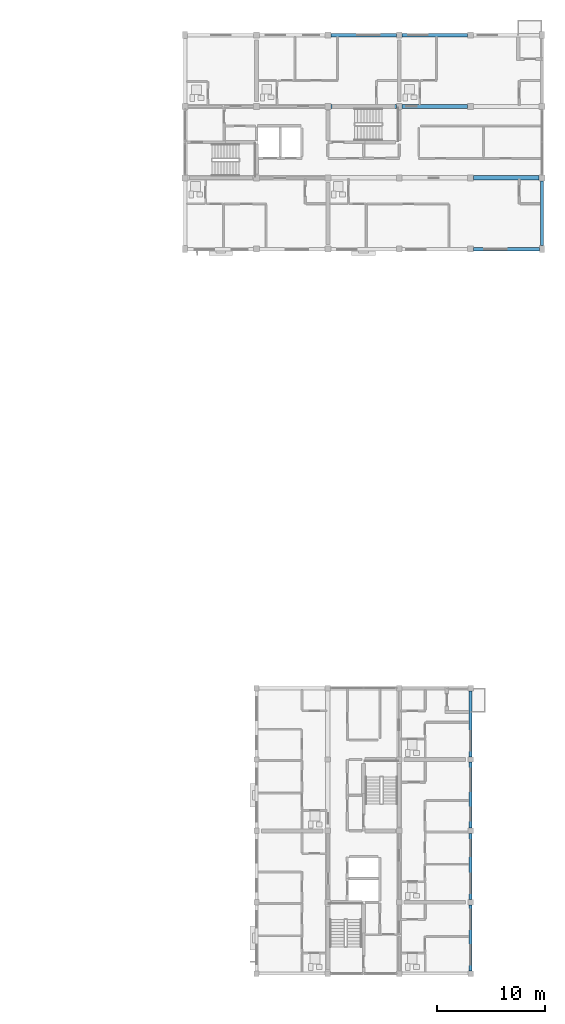
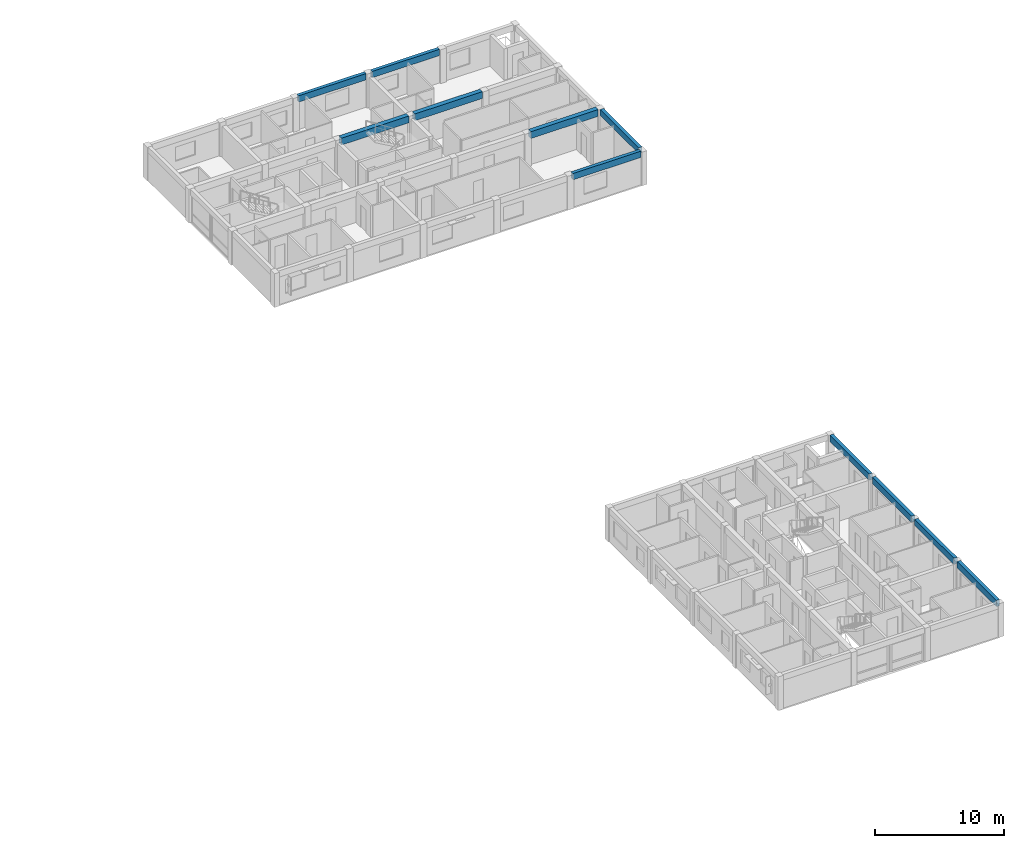
# One storey, part 21 of 52: 11 beams.
"""IFC4 building model written with IfcOpenShell, lengths in metres."""

from ifc_helpers import new_model, si_unit, direction, frame, origin, origin_2d, place, context, subcontext, project, spatial, rectangle, extrude, material, material_profile, profile_set, type_object, element, save


model = new_model("IFC4")

# Units and contexts
model_context = context("Model", 3, precision=1e-05, world=origin(), true_north=direction((0.0, 1.0)))
body_context = subcontext(model_context, "Body", "Model", "MODEL_VIEW")
ifc_project = project(units=[si_unit("LENGTHUNIT", "METRE"), si_unit("AREAUNIT", "SQUARE_METRE"), si_unit("VOLUMEUNIT", "CUBIC_METRE"), si_unit("PLANEANGLEUNIT", "RADIAN"), si_unit("MASSUNIT", "GRAM", prefix="KILO")], contexts=[model_context])

# Site, building, storey
site_placement = place(None, origin())
site = spatial("IfcSite", under=ifc_project, at=site_placement, CompositionType="ELEMENT")
building_placement = place(site_placement, origin())
building = spatial("IfcBuilding", under=site, at=building_placement, Name="Kernevlak Ridge Housing Community", CompositionType="ELEMENT")
storey_placement = place(building_placement, frame((0.0, 0.0, 11.60009765625)))
storey = spatial("IfcBuildingStorey", under=building, at=storey_placement, Name="L03", CompositionType="ELEMENT", Elevation=11.60009765625)

# Beams
ifc_material = material(Name="Concrete C35/45", Category="concrete")
ifc_material_profile_1 = material_profile(ifc_material, rectangle(XDim=0.39990234375, YDim=0.64990234375, at=origin_2d()), Name="RC 400x650")
ifc_profile_set_1 = profile_set([ifc_material_profile_1], Name="Concrete C35/45")
beam_type_1 = type_object("IfcBeamType", Name="B-03", PredefinedType="T_BEAM", material=ifc_profile_set_1)
for number, where, z_axis, x_axis, name in (
    (1, (146.074951171875, 89.199951171875, 2.875), (1.0, 0.0, 0.0), (0.0, 1.0, 0.0), "Beam B-03 L03 664"),
    (2, (132.875, 95.800048828125, 2.875), (1.0, 0.0, 0.0), (0.0, 1.0, 0.0), "Beam B-03 L03 667"),
):
    element("IfcBeam", number, at=place(storey_placement, frame(where, z_axis=z_axis, x_axis=x_axis)), inside=storey, type_object=beam_type_1, Name=name, PredefinedType="T_BEAM", context=body_context, shape_type="SweptSolid", body=[
        extrude(rectangle(XDim=0.39990234375, YDim=0.64990234375, at=origin_2d()), origin(), (0.0, 0.0, 1.0), 6.050048828125),
    ])
beam_1_placement = place(storey_placement, frame((139.47509765625, 95.800048828125, 2.875), z_axis=(1.0, 0.0, 0.0), x_axis=(0.0, 1.0, 0.0)))
element("IfcBeam", 3, at=beam_1_placement, inside=storey, type_object=beam_type_1, Name="Beam B-03 L03 668", PredefinedType="T_BEAM", context=body_context, shape_type="SweptSolid", body=[
    extrude(rectangle(XDim=0.39990234375, YDim=0.64990234375, at=origin_2d()), origin(), (0.0, 0.0, 1.0), 6.0498046875),
])
ifc_material_profile_2 = material_profile(ifc_material, rectangle(XDim=0.300048828125, YDim=0.550048828125, at=origin_2d()), Name="RC 300x550")
ifc_profile_set_2 = profile_set([ifc_material_profile_2], Name="Concrete C35/45")
beam_type_2 = type_object("IfcBeamType", Name="SP-01", PredefinedType="SPANDREL", material=ifc_profile_set_2)
beam_2_placement = place(storey_placement, frame((152.39990234375, 82.925048828125, 2.9248046875), z_axis=(0.0, 1.0, 0.0), x_axis=(-1.0, 0.0, 0.0)))
element("IfcBeam", 4, at=beam_2_placement, inside=storey, type_object=beam_type_2, Name="Beam SP-01 L03 678", PredefinedType="SPANDREL", context=body_context, shape_type="SweptSolid", body=[
    extrude(rectangle(XDim=0.300048828125, YDim=0.550048828125, at=origin_2d()), origin(), (0.0, 0.0, 1.0), 6.0),
])
ifc_material_profile_3 = material_profile(ifc_material, rectangle(XDim=0.300048828125, YDim=0.60009765625, at=origin_2d()), Name="RC 300x600")
ifc_profile_set_3 = profile_set([ifc_material_profile_3], Name="Concrete C35/45")
beam_type_3 = type_object("IfcBeamType", Name="SP-02", PredefinedType="SPANDREL", material=ifc_profile_set_3)
beam_3_placement = place(storey_placement, frame((146.074951171875, 82.60009765625, 2.89990234375), z_axis=(1.0, 0.0, 0.0), x_axis=(0.0, 1.0, 0.0)))
element("IfcBeam", 5, at=beam_3_placement, inside=storey, type_object=beam_type_3, Name="Beam SP-02 L03 659", PredefinedType="SPANDREL", context=body_context, shape_type="SweptSolid", body=[
    extrude(rectangle(XDim=0.300048828125, YDim=0.60009765625, at=origin_2d()), origin(), (0.0, 0.0, 1.0), 6.10009765625),
])
beam_4_placement = place(storey_placement, frame((132.875, 102.39990234375, 2.89990234375), z_axis=(1.0, 0.0, 0.0), x_axis=(0.0, 1.0, 0.0)))
element("IfcBeam", 6, at=beam_4_placement, inside=storey, type_object=beam_type_3, Name="Beam SP-02 L03 672", PredefinedType="SPANDREL", context=body_context, shape_type="SweptSolid", body=[
    extrude(rectangle(XDim=0.300048828125, YDim=0.60009765625, at=origin_2d()), origin(), (0.0, 0.0, 1.0), 6.050048828125),
])
beam_5_placement = place(storey_placement, frame((139.47509765625, 102.39990234375, 2.89990234375), z_axis=(1.0, 0.0, 0.0), x_axis=(0.0, 1.0, 0.0)))
element("IfcBeam", 7, at=beam_5_placement, inside=storey, type_object=beam_type_3, Name="Beam SP-02 L03 673", PredefinedType="SPANDREL", context=body_context, shape_type="SweptSolid", body=[
    extrude(rectangle(XDim=0.300048828125, YDim=0.60009765625, at=origin_2d()), origin(), (0.0, 0.0, 1.0), 6.0498046875),
])
beam_6_placement = place(storey_placement, frame((145.800048828125, 15.85009765625, 2.89990234375), z_axis=(0.0, 1.0, 0.0), x_axis=(-1.0, 0.0, 0.0)))
element("IfcBeam", 8, at=beam_6_placement, inside=storey, type_object=beam_type_3, Name="Beam SP-02 L03 1080", PredefinedType="SPANDREL", context=body_context, shape_type="SweptSolid", body=[
    extrude(rectangle(XDim=0.300048828125, YDim=0.60009765625, at=origin_2d()), origin(), (0.0, 0.0, 1.0), 6.099853515625),
])
beam_7_placement = place(storey_placement, frame((145.800048828125, 22.449951171875, 2.89990234375), z_axis=(0.0, 1.0, 0.0), x_axis=(-1.0, 0.0, 0.0)))
element("IfcBeam", 9, at=beam_7_placement, inside=storey, type_object=beam_type_3, Name="Beam SP-02 L03 1081", PredefinedType="SPANDREL", context=body_context, shape_type="SweptSolid", body=[
    extrude(rectangle(XDim=0.300048828125, YDim=0.60009765625, at=origin_2d()), origin(), (0.0, 0.0, 1.0), 6.10009765625),
])
beam_8_placement = place(storey_placement, frame((145.800048828125, 29.050048828125, 2.89990234375), z_axis=(0.0, 1.0, 0.0), x_axis=(-1.0, 0.0, 0.0)))
element("IfcBeam", 10, at=beam_8_placement, inside=storey, type_object=beam_type_3, Name="Beam SP-02 L03 1082", PredefinedType="SPANDREL", context=body_context, shape_type="SweptSolid", body=[
    extrude(rectangle(XDim=0.300048828125, YDim=0.60009765625, at=origin_2d()), origin(), (0.0, 0.0, 1.0), 6.099853515625),
])
beam_9_placement = place(storey_placement, frame((145.800048828125, 35.64990234375, 2.89990234375), z_axis=(0.0, 1.0, 0.0), x_axis=(-1.0, 0.0, 0.0)))
element("IfcBeam", 11, at=beam_9_placement, inside=storey, type_object=beam_type_3, Name="Beam SP-02 L03 1083", PredefinedType="SPANDREL", context=body_context, shape_type="SweptSolid", body=[
    extrude(rectangle(XDim=0.300048828125, YDim=0.60009765625, at=origin_2d()), origin(), (0.0, 0.0, 1.0), 6.10009765625),
])

save(model, "model.ifc")
